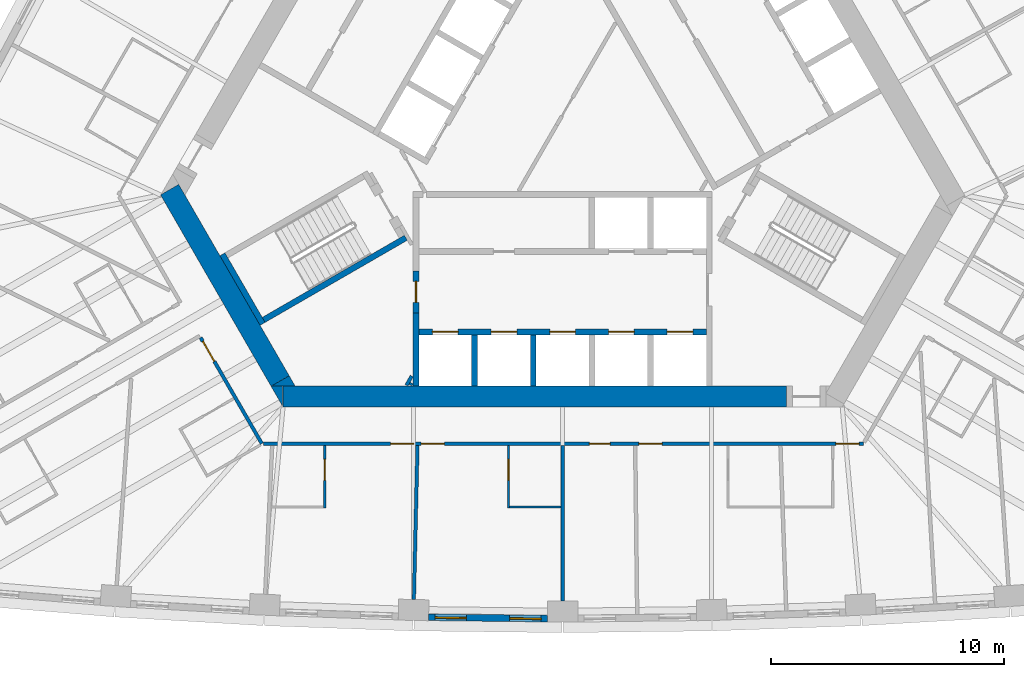
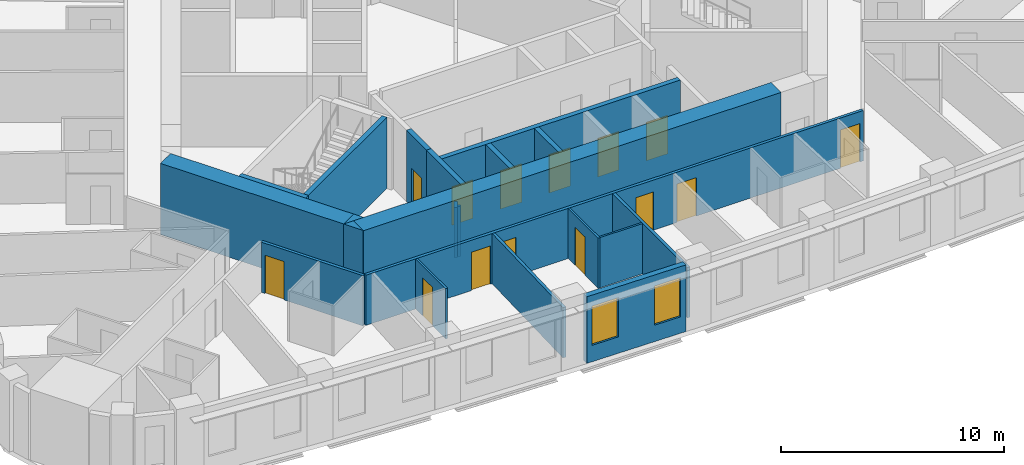
# One storey, part 4 of 13: 21 walls, 14 doors, 2 windows, 16 openings.
"""IFC4 building model written with IfcOpenShell, lengths in metres."""

from ifc_helpers import new_model, si_unit, direction, frame, frame_2d, origin, place, context, subcontext, project, spatial, polyline, rectangle, outline, extrude, material, layer, layer_set, type_object, element, fill, save


model = new_model("IFC4")

# Units and contexts
model_context = context("Model", 3, precision=1e-05, world=origin(), true_north=direction((0.0, 1.0)))
body_context = subcontext(model_context, "Body", "Model", "MODEL_VIEW")
ifc_project = project(units=[si_unit("LENGTHUNIT", "METRE"), si_unit("AREAUNIT", "SQUARE_METRE"), si_unit("VOLUMEUNIT", "CUBIC_METRE"), si_unit("PLANEANGLEUNIT", "RADIAN"), si_unit("MASSUNIT", "GRAM", prefix="KILO")], contexts=[model_context])

# Site, building, storey
site_placement = place(None, origin())
site = spatial("IfcSite", under=ifc_project, at=site_placement, CompositionType="ELEMENT")
building_placement = place(site_placement, origin())
building = spatial("IfcBuilding", under=site, at=building_placement, Name="Mestral Congress Tower", CompositionType="ELEMENT")
storey_placement = place(building_placement, frame((0.0, 0.0, 87.60009765625)))
storey = spatial("IfcBuildingStorey", under=building, at=storey_placement, Name="L20", CompositionType="ELEMENT", Elevation=87.60009765625)

# Walls
ifc_material_1 = material(Name="Fire-rated board partition")
ifc_layer_1 = layer(ifc_material_1, 0.14990234375)
ifc_layer_set_1 = layer_set([ifc_layer_1], Name="Fire-rated board partition")
wall_type_1 = type_object("IfcWallType", Name="Core partition 150", PredefinedType="PARTITIONING", material=ifc_layer_set_1)
wall_1_placement = place(storey_placement, frame((-6.707763671875, -12.068115234375, 0.0), z_axis=(0.0, 0.0, 1.0), x_axis=(0.500000789788, 0.8660249478, 0.0)))
element("IfcWall", 1, at=wall_1_placement, inside=storey, type_object=wall_type_1, Name="L20 core wall", PredefinedType="PARTITIONING", context=body_context, shape_type="SweptSolid", body=[
    extrude(rectangle(XDim=0.45556640625, YDim=0.14990234375, at=frame_2d((0.227783203125, 0.0))), origin(), (0.0, 0.0, 1.0), 2.75),
])
wall_2_placement = place(storey_placement, frame((-6.534423828125, -12.068115234375, 0.0), z_axis=(0.0, 0.0, 1.0), x_axis=(0.500240224089, 0.865886665912, 0.0)))
element("IfcWall", 2, at=wall_2_placement, inside=storey, type_object=wall_type_1, Name="L20 core wall", PredefinedType="PARTITIONING", context=body_context, shape_type="SweptSolid", body=[
    extrude(rectangle(XDim=0.10888671875, YDim=0.14990234375, at=frame_2d((0.054443359375, 0.0))), origin(), (0.0, 0.0, 1.0), 2.75),
])
ifc_material_2 = material(Name="Concrete C60/75", Category="concrete")
ifc_layer_2 = layer(ifc_material_2, 0.89990234375)
ifc_layer_set_2 = layer_set([ifc_layer_2], Name="Concrete C60/75")
wall_type_2 = type_object("IfcWallType", Name="Core wall RC 900", PredefinedType="SOLIDWALL", material=ifc_layer_set_2)
wall_3_placement = place(storey_placement, frame((-12.0185546875, -12.550048828125, 0.0), z_axis=(0.0, 0.0, 1.0), x_axis=(1.0, 0.0, 0.0)))
element("IfcWall", 3, at=wall_3_placement, inside=storey, type_object=wall_type_2, Name="L20 core wall", PredefinedType="SOLIDWALL", context=body_context, shape_type="SweptSolid", body=[
    extrude(rectangle(XDim=21.63037109375, YDim=0.89990234375, at=frame_2d((10.815185546875, 0.0))), origin(), (0.0, 0.0, 1.0), 3.89990234375),
])
placement = place(storey_placement, origin())
element("IfcWall", 4, at=placement, inside=storey, type_object=wall_type_2, Name="L20 core wall", PredefinedType="SOLIDWALL", context=body_context, shape_type="SweptSolid", body=[
    extrude(outline(polyline([(-12.528564453125, -12.10009765625), (-12.0205078125, -12.10009765625), (-12.0205078125, -12.97998046875), (-12.528564453125, -12.10009765625)])), origin(), (0.0, 0.0, 1.0), 3.89990234375),
])
wall_5_placement = place(storey_placement, frame((-12.134033203125, -11.88330078125, 0.0), z_axis=(0.0, 0.0, 1.0), x_axis=(-0.500005339912, 0.866022320763, 0.0)))
element("IfcWall", 5, at=wall_5_placement, inside=storey, type_object=wall_type_2, Name="L20 core wall", PredefinedType="SOLIDWALL", context=body_context, shape_type="SweptSolid", body=[
    extrude(rectangle(XDim=9.48779296875, YDim=0.89990234375, at=frame_2d((4.743896484375, 0.0))), origin(), (0.0, 0.0, 1.0), 3.89990234375),
])
element("IfcWall", 6, at=placement, inside=storey, type_object=wall_type_2, Name="L20 core wall", PredefinedType="SOLIDWALL", context=body_context, shape_type="SweptSolid", body=[
    extrude(outline(polyline([(-11.4892578125, -12.10009765625), (-12.50537109375, -12.10009765625), (-11.743408203125, -11.66015625), (-11.4892578125, -12.10009765625)])), origin(), (0.0, 0.0, 1.0), 3.89990234375),
])

# Wall, openings, windows
ifc_material_3 = material(Name="Precast concrete C40/50 with limestone facing", Category="masonry")
ifc_layer_3 = layer(ifc_material_3, 0.2900390625)
ifc_layer_set_3 = layer_set([ifc_layer_3], Name="Precast concrete C40/50 with limestone facing")
wall_type_3 = type_object("IfcWallType", Name="Facade stone wall 290", PredefinedType="SOLIDWALL", material=ifc_layer_set_3)
wall_7_placement = place(storey_placement, frame((-5.753173828125, -22.031494140625, 0.0), z_axis=(0.0, 0.0, 1.0), x_axis=(0.999931786565, -0.011679992145, 0.0)))
wall_7 = element("IfcWall", 7, at=wall_7_placement, inside=storey, type_object=wall_type_3, Name="Facade wall F0-03", PredefinedType="SOLIDWALL", context=body_context, shape_type="SweptSolid", body=[
    extrude(rectangle(XDim=5.10009765625, YDim=0.2900390625, at=frame_2d((2.550048828125, 0.0))), origin(), (0.0, 0.0, 1.0), 3.64990234375),
])
opening_1_placement = place(wall_7_placement, frame((0.2724609375, 0.0, 0.89990234375)))
opening_1 = element("IfcOpeningElement", 8, at=opening_1_placement, cuts=wall_7, Name="Opening W2", PredefinedType="OPENING", context=body_context, shape_type="SweptSolid", body=[
    extrude(rectangle(XDim=1.35009765625, YDim=2.14990234375, at=frame_2d((0.675048828125, 1.074951171875))), frame((0.0, 0.155029296875, 0.0), z_axis=(0.0, -1.0, 0.0), x_axis=(1.0, 0.0, 0.0)), (0.0, 0.0, 1.0), 0.31005859375),
])
opening_2_placement = place(wall_7_placement, frame((3.477783203125, 0.0, 0.89990234375)))
opening_2 = element("IfcOpeningElement", 9, at=opening_2_placement, cuts=wall_7, Name="Opening W2", PredefinedType="OPENING", context=body_context, shape_type="SweptSolid", body=[
    extrude(rectangle(XDim=1.35009765625, YDim=2.14990234375, at=frame_2d((0.675048828125, 1.074951171875))), frame((0.0, 0.155029296875, 0.0), z_axis=(0.0, -1.0, 0.0), x_axis=(1.0, 0.0, 0.0)), (0.0, 0.0, 1.0), 0.31005859375),
])
ifc_material_4 = material(Name="Clear low-emissivity double glazing", Category="glass")
window_type = type_object("IfcWindowType", Name="Facade punched window 1350 x 2150 sill 900", PartitioningType="DOUBLE_PANEL_VERTICAL", PredefinedType="WINDOW", material=ifc_material_4)
window_1_placement = place(opening_1_placement, origin())
window_1 = element("IfcWindow", 10, at=window_1_placement, inside=storey, type_object=window_type, Name="Window F0-03a", OverallHeight=2.14990234375, OverallWidth=1.35009765625, PartitioningType="DOUBLE_PANEL_VERTICAL", PredefinedType="WINDOW", context=body_context, shape_type="SweptSolid", body=[
    extrude(rectangle(XDim=1.35009765625, YDim=2.14990234375, at=frame_2d((0.675048828125, 1.074951171875))), frame((0.0, 0.01513671875, 0.0), z_axis=(0.0, -1.0, 0.0), x_axis=(1.0, 0.0, 0.0)), (0.0, 0.0, 1.0), 0.06005859375),
])
fill(opening_1, window_1)
window_2_placement = place(opening_2_placement, origin())
window_2 = element("IfcWindow", 11, at=window_2_placement, inside=storey, type_object=window_type, Name="Window F0-03b", OverallHeight=2.14990234375, OverallWidth=1.35009765625, PartitioningType="DOUBLE_PANEL_VERTICAL", PredefinedType="WINDOW", context=body_context, shape_type="SweptSolid", body=[
    extrude(rectangle(XDim=1.35009765625, YDim=2.14990234375, at=frame_2d((0.675048828125, 1.074951171875))), frame((0.0, 0.01513671875, 0.0), z_axis=(0.0, -1.0, 0.0), x_axis=(1.0, 0.0, 0.0)), (0.0, 0.0, 1.0), 0.06005859375),
])
fill(opening_2, window_2)

# Wall, opening, door
ifc_material_5 = material(Name="Gypsum board partition on metal studs with mineral wool", Category="composite")
ifc_layer_4 = layer(ifc_material_5, 0.10009765625)
ifc_layer_set_4 = layer_set([ifc_layer_4], Name="Gypsum board partition on metal studs with mineral wool")
wall_type_4 = type_object("IfcWallType", Name="Hotel partition wall 100", PredefinedType="PARTITIONING", material=ifc_layer_set_4)
wall_8_placement = place(storey_placement, frame((-10.222412109375, -17.35009765625, 0.0), z_axis=(0.0, 0.0, 1.0), x_axis=(0.0, 1.0, 0.0)))
wall_8 = element("IfcWall", 12, at=wall_8_placement, inside=storey, type_object=wall_type_4, Name="L20-h-pod03a", PredefinedType="PARTITIONING", context=body_context, shape_type="SweptSolid", body=[
    extrude(rectangle(XDim=2.7001953125, YDim=0.10009765625, at=frame_2d((1.35009765625, 0.0))), origin(), (0.0, 0.0, 1.0), 2.75),
])
opening_3_placement = place(wall_8_placement, frame((1.199951171875, 0.0, 0.0)))
opening_3 = element("IfcOpeningElement", 13, at=opening_3_placement, cuts=wall_8, Name="Opening H06-006", PredefinedType="OPENING", context=body_context, shape_type="SweptSolid", body=[
    extrude(rectangle(XDim=0.89990234375, YDim=2.10009765625, at=frame_2d((0.449951171875, 1.050048828125))), frame((0.0, 0.06005859375, 0.0), z_axis=(0.0, -1.0, 0.0), x_axis=(1.0, 0.0, 0.0)), (0.0, 0.0, 1.0), 0.1201171875),
])
ifc_material_6 = material(Name="Timber veneer door leaf in timber frame", Category="wood")
door_type_1 = type_object("IfcDoorType", Name="Bathroom door 900", OperationType="SINGLE_SWING_LEFT", PredefinedType="DOOR", material=ifc_material_6)
door_1_placement = place(opening_3_placement, origin())
door_1 = element("IfcDoor", 14, at=door_1_placement, inside=storey, type_object=door_type_1, Name="L20-h-d006", OperationType="SINGLE_SWING_RIGHT", OverallHeight=2.10009765625, OverallWidth=0.89990234375, PredefinedType="DOOR", context=body_context, shape_type="SweptSolid", body=[
    extrude(rectangle(XDim=0.89990234375, YDim=2.10009765625, at=frame_2d((0.449951171875, 1.050048828125))), frame((0.0, 0.02490234375, 0.0), z_axis=(0.0, -1.0, 0.0), x_axis=(1.0, 0.0, 0.0)), (0.0, 0.0, 1.0), 0.050048828125),
])
fill(opening_3, door_1)

wall_9_placement = place(storey_placement, frame((-2.325927734375, -14.64990234375, 0.0), z_axis=(0.0, 0.0, 1.0), x_axis=(0.0, -1.0, 0.0)))
wall_9 = element("IfcWall", 15, at=wall_9_placement, inside=storey, type_object=wall_type_4, Name="L20-h-pod04a", PredefinedType="PARTITIONING", context=body_context, shape_type="SweptSolid", body=[
    extrude(rectangle(XDim=2.7001953125, YDim=0.10009765625, at=frame_2d((1.35009765625, 0.0))), origin(), (0.0, 0.0, 1.0), 2.75),
])
opening_4_placement = place(wall_9_placement, frame((0.60009765625, 0.0, 0.0)))
opening_4 = element("IfcOpeningElement", 16, at=opening_4_placement, cuts=wall_9, Name="Opening H06-008", PredefinedType="OPENING", context=body_context, shape_type="SweptSolid", body=[
    extrude(rectangle(XDim=0.89990234375, YDim=2.10009765625, at=frame_2d((0.449951171875, 1.050048828125))), frame((0.0, 0.06005859375, 0.0), z_axis=(0.0, -1.0, 0.0), x_axis=(1.0, 0.0, 0.0)), (0.0, 0.0, 1.0), 0.1201171875),
])
door_2_placement = place(opening_4_placement, origin())
door_2 = element("IfcDoor", 17, at=door_2_placement, inside=storey, type_object=door_type_1, Name="L20-h-d008", OperationType="SINGLE_SWING_LEFT", OverallHeight=2.10009765625, OverallWidth=0.89990234375, PredefinedType="DOOR", context=body_context, shape_type="SweptSolid", body=[
    extrude(rectangle(XDim=0.89990234375, YDim=2.10009765625, at=frame_2d((0.449951171875, 1.050048828125))), frame((0.0, 0.02490234375, 0.0), z_axis=(0.0, -1.0, 0.0), x_axis=(1.0, 0.0, 0.0)), (0.0, 0.0, 1.0), 0.050048828125),
])
fill(opening_4, door_2)

# Wall
wall_10_placement = place(storey_placement, frame((-2.27587890625, -17.300048828125, 0.0), z_axis=(0.0, 0.0, 1.0), x_axis=(1.0, 0.0, 0.0)))
element("IfcWall", 18, at=wall_10_placement, inside=storey, type_object=wall_type_4, Name="L20-h-pod04b", PredefinedType="PARTITIONING", context=body_context, shape_type="SweptSolid", body=[
    extrude(rectangle(XDim=2.199951171875, YDim=0.10009765625, at=frame_2d((1.10009765625, 0.0))), origin(), (0.0, 0.0, 1.0), 2.75),
])

# Wall, opening, door
ifc_layer_5 = layer(ifc_material_5, 0.14990234375)
ifc_layer_set_5 = layer_set([ifc_layer_5], Name="Gypsum board partition on metal studs with mineral wool")
wall_type_5 = type_object("IfcWallType", Name="Hotel partition wall 150", PredefinedType="PARTITIONING", material=ifc_layer_set_5)
wall_11_placement = place(storey_placement, frame((-12.918212890625, -14.574951171875, 0.0), z_axis=(0.0, 0.0, 1.0), x_axis=(-0.500009150678, 0.866020120573, 0.0)))
wall_11 = element("IfcWall", 19, at=wall_11_placement, inside=storey, type_object=wall_type_5, Name="L20-h-cw12", PredefinedType="PARTITIONING", context=body_context, shape_type="SweptSolid", body=[
    extrude(rectangle(XDim=5.25830078125, YDim=0.14990234375, at=frame_2d((2.629150390625, 0.0))), origin(), (0.0, 0.0, 1.0), 2.75),
])
opening_5_placement = place(wall_11_placement, frame((4.078125, 0.0, 0.0)))
opening_5 = element("IfcOpeningElement", 20, at=opening_5_placement, cuts=wall_11, Name="Opening H06-003", PredefinedType="OPENING", context=body_context, shape_type="SweptSolid", body=[
    extrude(rectangle(XDim=1.0, YDim=2.10009765625, at=frame_2d((0.5, 1.050048828125))), frame((0.0, 0.0849609375, 0.0), z_axis=(0.0, -1.0, 0.0), x_axis=(1.0, 0.0, 0.0)), (0.0, 0.0, 1.0), 0.169921875),
])
ifc_material_7 = material(Name="Timber veneer door leaf in metal frame", Category="wood")
door_type_2 = type_object("IfcDoorType", Name="Guest room entrance door 1000", OperationType="SINGLE_SWING_LEFT", PredefinedType="DOOR", material=ifc_material_7)
door_3_placement = place(opening_5_placement, origin())
door_3 = element("IfcDoor", 21, at=door_3_placement, inside=storey, type_object=door_type_2, Name="L20-h-d003", OperationType="SINGLE_SWING_RIGHT", OverallHeight=2.10009765625, OverallWidth=1.0, PredefinedType="DOOR", context=body_context, shape_type="SweptSolid", body=[
    extrude(rectangle(XDim=1.0, YDim=2.10009765625, at=frame_2d((0.5, 1.050048828125))), frame((0.0, 0.02490234375, 0.0), z_axis=(0.0, -1.0, 0.0), x_axis=(1.0, 0.0, 0.0)), (0.0, 0.0, 1.0), 0.050048828125),
])
fill(opening_5, door_3)

# Wall, openings, doors
wall_12_placement = place(storey_placement, frame((12.918212890625, -14.574951171875, 0.0), z_axis=(0.0, 0.0, 1.0), x_axis=(-1.0, 0.0, 0.0)))
wall_12 = element("IfcWall", 22, at=wall_12_placement, inside=storey, type_object=wall_type_5, Name="L20-h-cw13", PredefinedType="PARTITIONING", context=body_context, shape_type="SweptSolid", body=[
    extrude(rectangle(XDim=25.766357421875, YDim=0.14990234375, at=frame_2d((12.88330078125, 0.0))), origin(), (0.0, 0.0, 1.0), 2.75),
])
opening_6_placement = place(wall_12_placement, frame((19.305908203125, 0.0, 0.0)))
opening_6 = element("IfcOpeningElement", 23, at=opening_6_placement, cuts=wall_12, Name="Opening H06-005", PredefinedType="OPENING", context=body_context, shape_type="SweptSolid", body=[
    extrude(rectangle(XDim=1.0, YDim=2.10009765625, at=frame_2d((0.5, 1.050048828125))), frame((0.0, 0.0849609375, 0.0), z_axis=(0.0, -1.0, 0.0), x_axis=(1.0, 0.0, 0.0)), (0.0, 0.0, 1.0), 0.169921875),
])
opening_7_placement = place(wall_12_placement, frame((17.99853515625, 0.0, 0.0)))
opening_7 = element("IfcOpeningElement", 24, at=opening_7_placement, cuts=wall_12, Name="Opening H06-007", PredefinedType="OPENING", context=body_context, shape_type="SweptSolid", body=[
    extrude(rectangle(XDim=1.0, YDim=2.10009765625, at=frame_2d((0.5, 1.050048828125))), frame((0.0, 0.0849609375, 0.0), z_axis=(0.0, -1.0, 0.0), x_axis=(1.0, 0.0, 0.0)), (0.0, 0.0, 1.0), 0.169921875),
])
opening_8_placement = place(wall_12_placement, frame((10.8740234375, 0.0, 0.0)))
opening_8 = element("IfcOpeningElement", 25, at=opening_8_placement, cuts=wall_12, Name="Opening H06-009", PredefinedType="OPENING", context=body_context, shape_type="SweptSolid", body=[
    extrude(rectangle(XDim=0.89990234375, YDim=2.10009765625, at=frame_2d((0.449951171875, 1.050048828125))), frame((0.0, 0.0849609375, 0.0), z_axis=(0.0, -1.0, 0.0), x_axis=(1.0, 0.0, 0.0)), (0.0, 0.0, 1.0), 0.169921875),
])
opening_9_placement = place(wall_12_placement, frame((8.6474609375, 0.0, 0.0)))
opening_9 = element("IfcOpeningElement", 26, at=opening_9_placement, cuts=wall_12, Name="Opening H06-010", PredefinedType="OPENING", context=body_context, shape_type="SweptSolid", body=[
    extrude(rectangle(XDim=1.0, YDim=2.10009765625, at=frame_2d((0.5, 1.050048828125))), frame((0.0, 0.0849609375, 0.0), z_axis=(0.0, -1.0, 0.0), x_axis=(1.0, 0.0, 0.0)), (0.0, 0.0, 1.0), 0.169921875),
])
opening_10_placement = place(wall_12_placement, frame((0.179931640625, 0.0, 0.0)))
opening_10 = element("IfcOpeningElement", 27, at=opening_10_placement, cuts=wall_12, Name="Opening H06-012", PredefinedType="OPENING", context=body_context, shape_type="SweptSolid", body=[
    extrude(rectangle(XDim=1.0, YDim=2.10009765625, at=frame_2d((0.5, 1.050048828125))), frame((0.0, 0.0849609375, 0.0), z_axis=(0.0, -1.0, 0.0), x_axis=(1.0, 0.0, 0.0)), (0.0, 0.0, 1.0), 0.169921875),
])
door_4_placement = place(opening_6_placement, origin())
door_4 = element("IfcDoor", 28, at=door_4_placement, inside=storey, type_object=door_type_2, Name="L20-h-d005", OperationType="SINGLE_SWING_LEFT", OverallHeight=2.10009765625, OverallWidth=1.0, PredefinedType="DOOR", context=body_context, shape_type="SweptSolid", body=[
    extrude(rectangle(XDim=1.0, YDim=2.10009765625, at=frame_2d((0.5, 1.050048828125))), frame((0.0, 0.02490234375, 0.0), z_axis=(0.0, -1.0, 0.0), x_axis=(1.0, 0.0, 0.0)), (0.0, 0.0, 1.0), 0.050048828125),
])
fill(opening_6, door_4)
door_5_placement = place(opening_7_placement, origin())
door_5 = element("IfcDoor", 29, at=door_5_placement, inside=storey, type_object=door_type_2, Name="L20-h-d007", OperationType="SINGLE_SWING_RIGHT", OverallHeight=2.10009765625, OverallWidth=1.0, PredefinedType="DOOR", context=body_context, shape_type="SweptSolid", body=[
    extrude(rectangle(XDim=1.0, YDim=2.10009765625, at=frame_2d((0.5, 1.050048828125))), frame((0.0, 0.02490234375, 0.0), z_axis=(0.0, -1.0, 0.0), x_axis=(1.0, 0.0, 0.0)), (0.0, 0.0, 1.0), 0.050048828125),
])
fill(opening_7, door_5)
door_6_placement = place(opening_9_placement, origin())
door_6 = element("IfcDoor", 30, at=door_6_placement, inside=storey, type_object=door_type_2, Name="L20-h-d010", OperationType="SINGLE_SWING_RIGHT", OverallHeight=2.10009765625, OverallWidth=1.0, PredefinedType="DOOR", context=body_context, shape_type="SweptSolid", body=[
    extrude(rectangle(XDim=1.0, YDim=2.10009765625, at=frame_2d((0.5, 1.050048828125))), frame((0.0, 0.02490234375, 0.0), z_axis=(0.0, -1.0, 0.0), x_axis=(1.0, 0.0, 0.0)), (0.0, 0.0, 1.0), 0.050048828125),
])
fill(opening_9, door_6)
door_7_placement = place(opening_10_placement, origin())
door_7 = element("IfcDoor", 31, at=door_7_placement, inside=storey, type_object=door_type_2, Name="L20-h-d012", OperationType="SINGLE_SWING_LEFT", OverallHeight=2.10009765625, OverallWidth=1.0, PredefinedType="DOOR", context=body_context, shape_type="SweptSolid", body=[
    extrude(rectangle(XDim=1.0, YDim=2.10009765625, at=frame_2d((0.5, 1.050048828125))), frame((0.0, 0.02490234375, 0.0), z_axis=(0.0, -1.0, 0.0), x_axis=(1.0, 0.0, 0.0)), (0.0, 0.0, 1.0), 0.050048828125),
])
fill(opening_10, door_7)
door_type_3 = type_object("IfcDoorType", Name="Service room door 900", OperationType="SINGLE_SWING_LEFT", PredefinedType="DOOR", material=ifc_material_7)
door_8_placement = place(opening_8_placement, origin())
door_8 = element("IfcDoor", 32, at=door_8_placement, inside=storey, type_object=door_type_3, Name="L20-h-d009", OperationType="SINGLE_SWING_LEFT", OverallHeight=2.10009765625, OverallWidth=0.89990234375, PredefinedType="DOOR", context=body_context, shape_type="SweptSolid", body=[
    extrude(rectangle(XDim=0.89990234375, YDim=2.10009765625, at=frame_2d((0.449951171875, 1.050048828125))), frame((0.0, 0.02490234375, 0.0), z_axis=(0.0, -1.0, 0.0), x_axis=(1.0, 0.0, 0.0)), (0.0, 0.0, 1.0), 0.050048828125),
])
fill(opening_8, door_8)

# Walls
wall_13_placement = place(storey_placement, frame((-6.388916015625, -21.268798828125, 0.0), z_axis=(0.0, 0.0, 1.0), x_axis=(0.023377429176, 0.999726710559, 0.0)))
element("IfcWall", 33, at=wall_13_placement, inside=storey, type_object=wall_type_5, Name="L20-h-pw12", PredefinedType="PARTITIONING", context=body_context, shape_type="SweptSolid", body=[
    extrude(rectangle(XDim=6.610595703125, YDim=0.14990234375, at=frame_2d((3.30517578125, 0.0))), origin(), (0.0, 0.0, 1.0), 2.75),
])
wall_14_placement = place(storey_placement, frame((0.0, -21.343505859375, 0.0), z_axis=(0.0, 0.0, 1.0), x_axis=(0.0, 1.0, 0.0)))
element("IfcWall", 34, at=wall_14_placement, inside=storey, type_object=wall_type_5, Name="L20-h-pw15", PredefinedType="PARTITIONING", context=body_context, shape_type="SweptSolid", body=[
    extrude(rectangle(XDim=6.693603515625, YDim=0.14990234375, at=frame_2d((3.3466796875, 0.0))), origin(), (0.0, 0.0, 1.0), 2.75),
])
ifc_layer_6 = layer(ifc_material_2, 0.25)
ifc_layer_set_6 = layer_set([ifc_layer_6], Name="Concrete C60/75")
wall_type_6 = type_object("IfcWallType", Name="Shaft wall RC 250", PredefinedType="SOLIDWALL", material=ifc_layer_set_6)
wall_15_placement = place(storey_placement, frame((-3.780029296875, -12.10009765625, 0.0), z_axis=(0.0, 0.0, 1.0), x_axis=(0.0, 1.0, 0.0)))
element("IfcWall", 35, at=wall_15_placement, inside=storey, type_object=wall_type_6, Name="L20 core wall", PredefinedType="SOLIDWALL", context=body_context, shape_type="SweptSolid", body=[
    extrude(rectangle(XDim=2.199951171875, YDim=0.25, at=frame_2d((1.10009765625, 0.0))), origin(), (0.0, 0.0, 1.0), 3.89990234375),
])
wall_16_placement = place(storey_placement, frame((-6.300048828125, -12.10009765625, 0.0), z_axis=(0.0, 0.0, 1.0), x_axis=(0.0, 1.0, 0.0)))
element("IfcWall", 36, at=wall_16_placement, inside=storey, type_object=wall_type_6, Name="L20 core wall", PredefinedType="SOLIDWALL", context=body_context, shape_type="SweptSolid", body=[
    extrude(rectangle(XDim=3.1455078125, YDim=0.25, at=frame_2d((1.57275390625, 0.0))), origin(), (0.0, 0.0, 1.0), 3.89990234375),
])
wall_17_placement = place(storey_placement, frame((-1.260009765625, -12.10009765625, 0.0), z_axis=(0.0, 0.0, 1.0), x_axis=(0.0, 1.0, 0.0)))
element("IfcWall", 37, at=wall_17_placement, inside=storey, type_object=wall_type_6, Name="L20 core wall", PredefinedType="SOLIDWALL", context=body_context, shape_type="SweptSolid", body=[
    extrude(rectangle(XDim=2.199951171875, YDim=0.25, at=frame_2d((1.10009765625, 0.0))), origin(), (0.0, 0.0, 1.0), 3.89990234375),
])

# Wall, openings, doors
wall_18_placement = place(storey_placement, frame((-6.175048828125, -9.77490234375, 0.0), z_axis=(0.0, 0.0, 1.0), x_axis=(1.0, 0.0, 0.0)))
wall_18 = element("IfcWall", 38, at=wall_18_placement, inside=storey, type_object=wall_type_6, Name="L20 door wall", PredefinedType="SOLIDWALL", context=body_context, shape_type="SweptSolid", body=[
    extrude(rectangle(XDim=12.35009765625, YDim=0.25, at=frame_2d((6.175048828125, 0.0))), origin(), (0.0, 0.0, 1.0), 3.89990234375),
])
opening_11_placement = place(wall_18_placement, frame((0.5849609375, 0.0, 0.0)))
opening_11 = element("IfcOpeningElement", 39, at=opening_11_placement, cuts=wall_18, Name="Opening LD-SOA1", PredefinedType="OPENING", context=body_context, shape_type="SweptSolid", body=[
    extrude(rectangle(XDim=1.10009765625, YDim=2.10009765625, at=frame_2d((0.550048828125, 1.050048828125))), frame((0.0, 0.135009765625, 0.0), z_axis=(0.0, -1.0, 0.0), x_axis=(1.0, 0.0, 0.0)), (0.0, 0.0, 1.0), 0.27001953125),
])
opening_12_placement = place(wall_18_placement, frame((3.10498046875, 0.0, 0.0)))
opening_12 = element("IfcOpeningElement", 40, at=opening_12_placement, cuts=wall_18, Name="Opening LD-SOA2", PredefinedType="OPENING", context=body_context, shape_type="SweptSolid", body=[
    extrude(rectangle(XDim=1.10009765625, YDim=2.10009765625, at=frame_2d((0.550048828125, 1.050048828125))), frame((0.0, 0.135009765625, 0.0), z_axis=(0.0, -1.0, 0.0), x_axis=(1.0, 0.0, 0.0)), (0.0, 0.0, 1.0), 0.27001953125),
])
opening_13_placement = place(wall_18_placement, frame((5.625, 0.0, 0.0)))
opening_13 = element("IfcOpeningElement", 41, at=opening_13_placement, cuts=wall_18, Name="Opening LD-SOA3", PredefinedType="OPENING", context=body_context, shape_type="SweptSolid", body=[
    extrude(rectangle(XDim=1.10009765625, YDim=2.10009765625, at=frame_2d((0.550048828125, 1.050048828125))), frame((0.0, 0.135009765625, 0.0), z_axis=(0.0, -1.0, 0.0), x_axis=(1.0, 0.0, 0.0)), (0.0, 0.0, 1.0), 0.27001953125),
])
opening_14_placement = place(wall_18_placement, frame((8.14501953125, 0.0, 0.0)))
opening_14 = element("IfcOpeningElement", 42, at=opening_14_placement, cuts=wall_18, Name="Opening LD-SOA4", PredefinedType="OPENING", context=body_context, shape_type="SweptSolid", body=[
    extrude(rectangle(XDim=1.10009765625, YDim=2.10009765625, at=frame_2d((0.550048828125, 1.050048828125))), frame((0.0, 0.135009765625, 0.0), z_axis=(0.0, -1.0, 0.0), x_axis=(1.0, 0.0, 0.0)), (0.0, 0.0, 1.0), 0.27001953125),
])
opening_15_placement = place(wall_18_placement, frame((10.6650390625, 0.0, 0.0)))
opening_15 = element("IfcOpeningElement", 43, at=opening_15_placement, cuts=wall_18, Name="Opening LD-SOA5", PredefinedType="OPENING", context=body_context, shape_type="SweptSolid", body=[
    extrude(rectangle(XDim=1.10009765625, YDim=2.10009765625, at=frame_2d((0.550048828125, 1.050048828125))), frame((0.0, 0.135009765625, 0.0), z_axis=(0.0, -1.0, 0.0), x_axis=(1.0, 0.0, 0.0)), (0.0, 0.0, 1.0), 0.27001953125),
])
ifc_material_8 = material(Name="Fire-rated steel door set", Category="steel")
door_type_4 = type_object("IfcDoorType", Name="Core door LD 1100x2100", OperationType="DOUBLE_DOOR_SLIDING", PredefinedType="DOOR", material=ifc_material_8)
door_9_placement = place(opening_11_placement, origin())
door_9 = element("IfcDoor", 44, at=door_9_placement, inside=storey, type_object=door_type_4, Name="Door LD-SOA1", OperationType="DOUBLE_DOOR_SLIDING", OverallHeight=2.10009765625, OverallWidth=1.10009765625, PredefinedType="DOOR", context=body_context, shape_type="SweptSolid", body=[
    extrude(rectangle(XDim=1.10009765625, YDim=2.10009765625, at=frame_2d((0.550048828125, 1.050048828125))), frame((0.0, 0.02490234375, 0.0), z_axis=(0.0, -1.0, 0.0), x_axis=(1.0, 0.0, 0.0)), (0.0, 0.0, 1.0), 0.050048828125),
])
fill(opening_11, door_9)
door_10_placement = place(opening_12_placement, origin())
door_10 = element("IfcDoor", 45, at=door_10_placement, inside=storey, type_object=door_type_4, Name="Door LD-SOA2", OperationType="DOUBLE_DOOR_SLIDING", OverallHeight=2.10009765625, OverallWidth=1.10009765625, PredefinedType="DOOR", context=body_context, shape_type="SweptSolid", body=[
    extrude(rectangle(XDim=1.10009765625, YDim=2.10009765625, at=frame_2d((0.550048828125, 1.050048828125))), frame((0.0, 0.02490234375, 0.0), z_axis=(0.0, -1.0, 0.0), x_axis=(1.0, 0.0, 0.0)), (0.0, 0.0, 1.0), 0.050048828125),
])
fill(opening_12, door_10)
door_11_placement = place(opening_13_placement, origin())
door_11 = element("IfcDoor", 46, at=door_11_placement, inside=storey, type_object=door_type_4, Name="Door LD-SOA3", OperationType="DOUBLE_DOOR_SLIDING", OverallHeight=2.10009765625, OverallWidth=1.10009765625, PredefinedType="DOOR", context=body_context, shape_type="SweptSolid", body=[
    extrude(rectangle(XDim=1.10009765625, YDim=2.10009765625, at=frame_2d((0.550048828125, 1.050048828125))), frame((0.0, 0.02490234375, 0.0), z_axis=(0.0, -1.0, 0.0), x_axis=(1.0, 0.0, 0.0)), (0.0, 0.0, 1.0), 0.050048828125),
])
fill(opening_13, door_11)
door_12_placement = place(opening_14_placement, origin())
door_12 = element("IfcDoor", 47, at=door_12_placement, inside=storey, type_object=door_type_4, Name="Door LD-SOA4", OperationType="DOUBLE_DOOR_SLIDING", OverallHeight=2.10009765625, OverallWidth=1.10009765625, PredefinedType="DOOR", context=body_context, shape_type="SweptSolid", body=[
    extrude(rectangle(XDim=1.10009765625, YDim=2.10009765625, at=frame_2d((0.550048828125, 1.050048828125))), frame((0.0, 0.02490234375, 0.0), z_axis=(0.0, -1.0, 0.0), x_axis=(1.0, 0.0, 0.0)), (0.0, 0.0, 1.0), 0.050048828125),
])
fill(opening_14, door_12)
door_13_placement = place(opening_15_placement, origin())
door_13 = element("IfcDoor", 48, at=door_13_placement, inside=storey, type_object=door_type_4, Name="Door LD-SOA5", OperationType="DOUBLE_DOOR_SLIDING", OverallHeight=2.10009765625, OverallWidth=1.10009765625, PredefinedType="DOOR", context=body_context, shape_type="SweptSolid", body=[
    extrude(rectangle(XDim=1.10009765625, YDim=2.10009765625, at=frame_2d((0.550048828125, 1.050048828125))), frame((0.0, 0.02490234375, 0.0), z_axis=(0.0, -1.0, 0.0), x_axis=(1.0, 0.0, 0.0)), (0.0, 0.0, 1.0), 0.050048828125),
])
fill(opening_15, door_13)

# Wall, opening, door
wall_19_placement = place(storey_placement, frame((-6.300048828125, -7.154296875, 0.0), z_axis=(0.0, 0.0, 1.0), x_axis=(0.0, -1.0, 0.0)))
wall_19 = element("IfcWall", 49, at=wall_19_placement, inside=storey, type_object=wall_type_6, Name="L20 door wall", PredefinedType="SOLIDWALL", context=body_context, shape_type="SweptSolid", body=[
    extrude(rectangle(XDim=1.800048828125, YDim=0.25, at=frame_2d((0.89990234375, 0.0))), origin(), (0.0, 0.0, 1.0), 3.89990234375),
])
opening_16_placement = place(wall_19_placement, frame((0.449951171875, 0.0, 0.0)))
opening_16 = element("IfcOpeningElement", 50, at=opening_16_placement, cuts=wall_19, Name="Opening TD3", PredefinedType="OPENING", context=body_context, shape_type="SweptSolid", body=[
    extrude(rectangle(XDim=0.89990234375, YDim=2.10009765625, at=frame_2d((0.449951171875, 1.050048828125))), frame((0.0, 0.135009765625, 0.0), z_axis=(0.0, -1.0, 0.0), x_axis=(1.0, 0.0, 0.0)), (0.0, 0.0, 1.0), 0.27001953125),
])
door_type_5 = type_object("IfcDoorType", Name="Core door SR 900x2100", OperationType="SINGLE_SWING_LEFT", PredefinedType="DOOR", material=ifc_material_8)
door_14_placement = place(opening_16_placement, origin())
door_14 = element("IfcDoor", 51, at=door_14_placement, inside=storey, type_object=door_type_5, Name="Door TD3", OperationType="SINGLE_SWING_LEFT", OverallHeight=2.10009765625, OverallWidth=0.89990234375, PredefinedType="DOOR", context=body_context, shape_type="SweptSolid", body=[
    extrude(rectangle(XDim=0.89990234375, YDim=2.10009765625, at=frame_2d((0.449951171875, 1.050048828125))), frame((0.0, 0.02490234375, 0.0), z_axis=(0.0, -1.0, 0.0), x_axis=(1.0, 0.0, 0.0)), (0.0, 0.0, 1.0), 0.050048828125),
])
fill(opening_16, door_14)

# Walls
ifc_layer_7 = layer(ifc_material_2, 0.25)
ifc_layer_set_7 = layer_set([ifc_layer_7], Name="Concrete C60/75")
wall_type_7 = type_object("IfcWallType", Name="Stair wall RC 250", PredefinedType="SOLIDWALL", material=ifc_layer_set_7)
wall_20_placement = place(storey_placement, frame((-12.885498046875, -9.431396484375, 0.0), z_axis=(0.0, 0.0, 1.0), x_axis=(-0.500020560727, 0.866013532718, 0.0)))
element("IfcWall", 52, at=wall_20_placement, inside=storey, type_object=wall_type_7, Name="L20 core wall", PredefinedType="SOLIDWALL", context=body_context, shape_type="SweptSolid", body=[
    extrude(rectangle(XDim=3.449951171875, YDim=0.25, at=frame_2d((1.72509765625, 0.0))), origin(), (0.0, 0.0, 1.0), 3.89990234375),
])
wall_21_placement = place(storey_placement, frame((-12.83984375, -9.2607421875, 0.0), z_axis=(0.0, 0.0, 1.0), x_axis=(0.866016039709, 0.500016218704, 0.0)))
element("IfcWall", 53, at=wall_21_placement, inside=storey, type_object=wall_type_7, Name="L20 core wall", PredefinedType="SOLIDWALL", context=body_context, shape_type="SweptSolid", body=[
    extrude(rectangle(XDim=7.050048828125, YDim=0.25, at=frame_2d((3.52490234375, 0.0))), origin(), (0.0, 0.0, 1.0), 3.89990234375),
])

save(model, "model.ifc")
